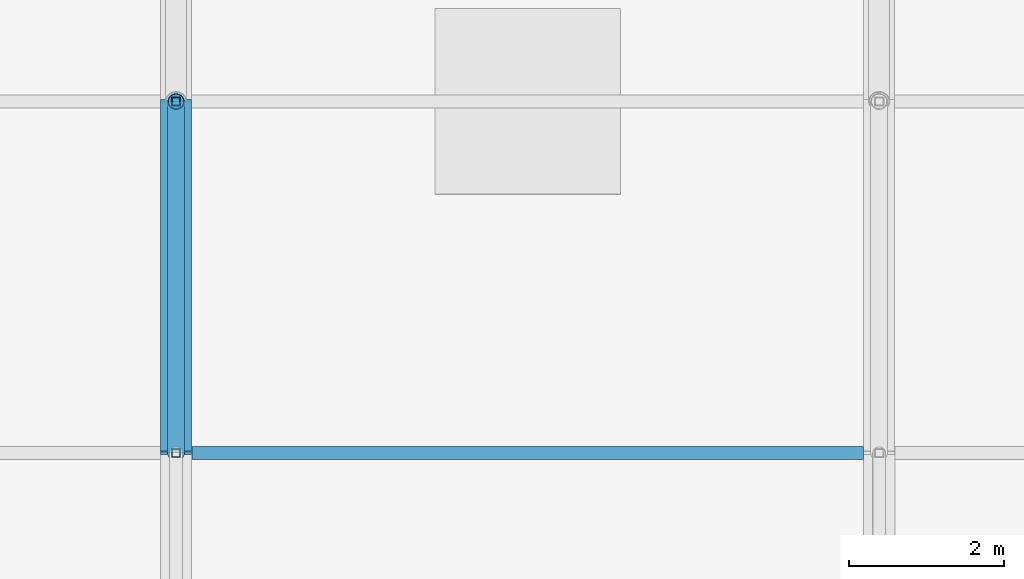
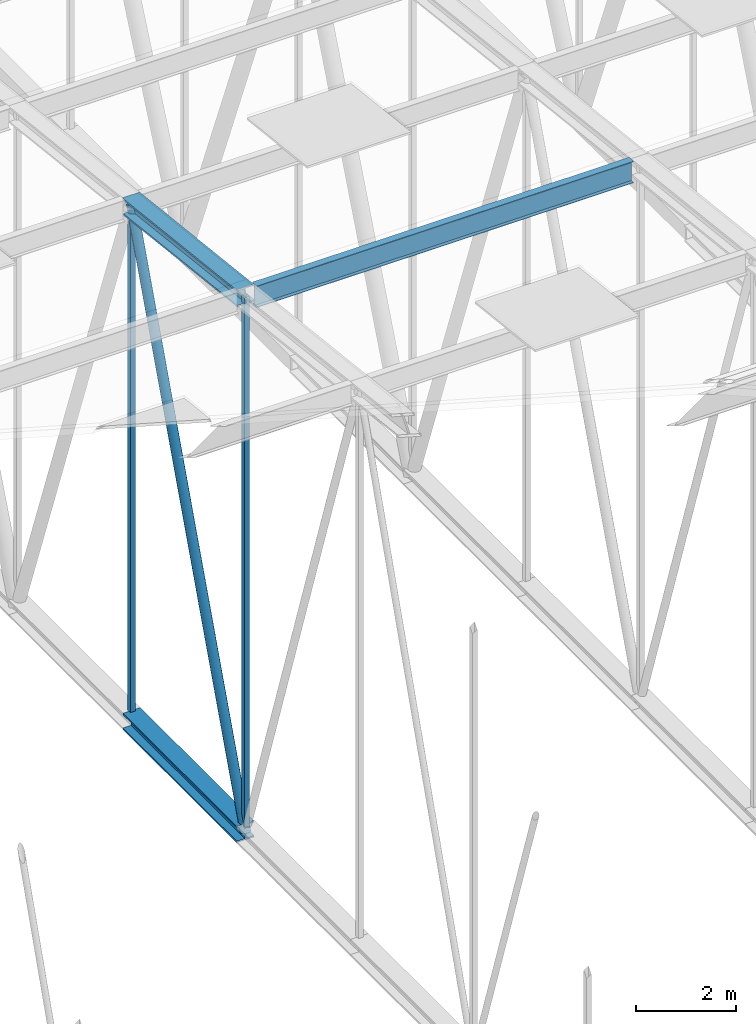
# One storey, part 256 of 500: 6 members.
"""IFC4 building model written with IfcOpenShell, lengths in metres."""

import ifcopenshell
import ifcopenshell.guid

model = None  # the IFC model being written
_history = None  # IfcOwnerHistory: only IFC2X3 demands one
_inside = {}  # id of a spatial element -> (the spatial element, [elements in it])
_under = {}  # id of a project, library or spatial element -> (it, [spatial elements below it])
_declared = {}  # id of a project -> (the project, [libraries it declares])
_typed = {}  # id of a type object -> (the type object, [elements of that type])
_made_of = {}  # id of a material, layer set ... -> (it, [elements and type objects made of it])


def new_model(schema):
    """Start an empty IFC model of exactly this schema.

    Asked for "IFC4X3", IfcOpenShell would pick the latest addendum, in which some entities
    have other attributes; the version numbers below select the first issue.
    IFC2X3 requires an IfcOwnerHistory on every rooted entity: one is made here for all.
    """
    global model, _history
    if schema == "IFC4X3":
        model = ifcopenshell.file(schema_version=(4, 3, 0, 0))
    else:
        model = ifcopenshell.file(schema=schema)
    _inside.clear()
    _under.clear()
    _declared.clear()
    _typed.clear()
    _made_of.clear()
    _history = None
    if model.schema == "IFC2X3":
        org = make("IfcOrganization", Name="unknown")
        user = make(
            "IfcPersonAndOrganization",
            ThePerson=make("IfcPerson", FamilyName="unknown"),
            TheOrganization=org,
        )
        app = make(
            "IfcApplication",
            ApplicationDeveloper=org,
            Version="unknown",
            ApplicationFullName="unknown",
            ApplicationIdentifier="unknown",
        )
        _history = make(
            "IfcOwnerHistory",
            OwningUser=user,
            OwningApplication=app,
            ChangeAction="ADDED",
            CreationDate=0,
        )
    return model


def make(cls, **values):
    """One entity of the class cls with the attributes given. An attribute that is None is left unset."""
    return model.create_entity(
        cls, **{name: value for name, value in values.items() if value is not None}
    )


def rooted(cls, **values):
    """An entity with a GlobalId (a new one), such as an element, a storey or a relation."""
    return make(cls, GlobalId=ifcopenshell.guid.new(), OwnerHistory=_history, **values)


def si_unit(unit_type, name, prefix=None):
    """IfcSIUnit, for example si_unit("LENGTHUNIT", "METRE", prefix="MILLI")."""
    return make("IfcSIUnit", UnitType=unit_type, Prefix=prefix, Name=name)


def assignment(units):
    """IfcUnitAssignment: the units of a project."""
    return None if units is None else make("IfcUnitAssignment", Units=units)


def point(xyz):
    """IfcCartesianPoint."""
    return None if xyz is None else make("IfcCartesianPoint", Coordinates=xyz)


def direction(xyz):
    """IfcDirection."""
    return None if xyz is None else make("IfcDirection", DirectionRatios=xyz)


def frame(location, z_axis=None, x_axis=None):
    """IfcAxis2Placement3D, a coordinate frame: its origin and axes. An axis left out is left unset."""
    return make(
        "IfcAxis2Placement3D",
        Location=point(location),
        Axis=direction(z_axis),
        RefDirection=direction(x_axis),
    )


def frame_2d(location, x_axis=None):
    """IfcAxis2Placement2D, a coordinate frame in the plane: its origin and x axis."""
    return make(
        "IfcAxis2Placement2D", Location=point(location), RefDirection=direction(x_axis)
    )


def origin():
    """The frame at (0, 0, 0) with its axes left unset."""
    return frame((0.0, 0.0, 0.0))


def origin_2d():
    """The frame at (0, 0) in the plane with its x axis left unset."""
    return frame_2d((0.0, 0.0))


def place(relative_to, where):
    """IfcLocalPlacement: puts the frame where relative to a parent placement (None: the world)."""
    return make(
        "IfcLocalPlacement", PlacementRelTo=relative_to, RelativePlacement=where
    )


def context(
    kind, dimensions, precision=None, world=None, true_north=None, identifier=None
):
    """IfcGeometricRepresentationContext, for example the 3D "Model" context."""
    return make(
        "IfcGeometricRepresentationContext",
        ContextIdentifier=identifier,
        ContextType=kind,
        CoordinateSpaceDimension=dimensions,
        Precision=precision,
        WorldCoordinateSystem=world,
        TrueNorth=true_north,
    )


def subcontext(parent, identifier, kind, view, scale=None):
    """IfcGeometricRepresentationSubContext, for example "Body" below "Model"."""
    return make(
        "IfcGeometricRepresentationSubContext",
        ContextIdentifier=identifier,
        ContextType=kind,
        ParentContext=parent,
        TargetScale=scale,
        TargetView=view,
    )


def project(units=None, contexts=None):
    """IfcProject with its units and contexts."""
    return rooted(
        "IfcProject",
        Name="project",
        RepresentationContexts=contexts,
        UnitsInContext=assignment(units),
    )


def spatial(cls, under=None, at=None, **own):
    """A site, building, storey or space (cls), placed at a placement, below another one or the project."""
    s = rooted(cls, ObjectPlacement=at, **own)
    if under is not None:
        _under.setdefault(under.id(), (under, []))[1].append(s)
    return s


def profile(cls, at=None, kind="AREA", **sizes):
    """A parametric profile (cls). Its sizes go by their IFC names, for example OverallWidth=200.0."""
    return make(cls, ProfileType=kind, Position=at, **sizes)


def hollow_rectangle(**sizes):
    """IfcRectangleHollowProfileDef."""
    return profile("IfcRectangleHollowProfileDef", **sizes)


def hollow_circle(**sizes):
    """IfcCircleHollowProfileDef."""
    return profile("IfcCircleHollowProfileDef", **sizes)


def i_section(**sizes):
    """IfcIShapeProfileDef."""
    return profile("IfcIShapeProfileDef", **sizes)


def extrude(swept, where, along, depth):
    """IfcExtrudedAreaSolid: the profile swept, set in the frame where, extruded along a direction by depth."""
    return make(
        "IfcExtrudedAreaSolid",
        SweptArea=swept,
        Position=where,
        ExtrudedDirection=direction(along),
        Depth=depth,
    )


def shape(context_of_items, identifier, shape_type, items):
    """IfcShapeRepresentation: the items that make up one representation, for example the "Body"."""
    return make(
        "IfcShapeRepresentation",
        ContextOfItems=context_of_items,
        RepresentationIdentifier=identifier,
        RepresentationType=shape_type,
        Items=items,
    )


def material(Name=None, Category=None):
    """IfcMaterial."""
    return make("IfcMaterial", Name=Name, Category=Category)


def material_profile(
    of_material, cross_section, Name=None, Category=None, Priority=None
):
    """IfcMaterialProfile: a cross section and its material."""
    return make(
        "IfcMaterialProfile",
        Name=Name,
        Material=of_material,
        Profile=cross_section,
        Priority=Priority,
        Category=Category,
    )


def profile_set(profiles, Name=None, composite=None):
    """IfcMaterialProfileSet."""
    return make(
        "IfcMaterialProfileSet",
        Name=Name,
        MaterialProfiles=profiles,
        CompositeProfile=composite,
    )


def made_of(thing, what):
    """Note that an element or type object is made of a material, layer set ...; save() writes the relation."""
    if what is not None:
        _made_of.setdefault(what.id(), (what, []))[1].append(thing)
    return thing


def type_object(cls, material=None, **own):
    """A type object (cls), such as IfcWallType, which elements share."""
    return made_of(rooted(cls, **own), material)


def element(
    cls,
    number,
    at=None,
    inside=None,
    cuts=None,
    type_object=None,
    material=None,
    context=None,
    identifier="Body",
    shape_type=None,
    held_by="IfcProductDefinitionShape",
    body=None,
    shapes=None,
    **own,
):
    """One element of the class cls, such as IfcWall. Its Tag is "e" and its number.

    at: its placement. inside: the storey or other place that contains it. cuts: it is an
    opening in that element (IfcRelVoidsElement). A single representation is given by context,
    identifier, shape_type and body (its items); several are given by shapes. held_by: the class
    of the entity that holds the representations. save() writes the other relations.
    """
    e = rooted(cls, Tag="e%d" % number, ObjectPlacement=at, **own)
    if body is not None:
        shapes = [shape(context, identifier, shape_type, body)]
    if shapes is not None:
        e.Representation = make(held_by, Representations=shapes)
    if inside is not None:
        _inside.setdefault(inside.id(), (inside, []))[1].append(e)
    if cuts is not None:
        rooted(
            "IfcRelVoidsElement", RelatingBuildingElement=cuts, RelatedOpeningElement=e
        )
    if type_object is not None:
        _typed.setdefault(type_object.id(), (type_object, []))[1].append(e)
    return made_of(e, material)


def aggregate(whole, parts):
    """IfcRelAggregates: a whole, such as a stair, and the parts it consists of."""
    return rooted("IfcRelAggregates", RelatingObject=whole, RelatedObjects=parts)


def save(model, path):
    """Write the relations noted so far, then the file.

    IfcRelAggregates (storeys below a building ...), IfcRelContainedInSpatialStructure (elements
    in a storey), IfcRelDefinesByType, IfcRelAssociatesMaterial and IfcRelDeclares: one each for
    every whole, place, type object, material and project.
    """
    for whole, parts in _under.values():
        aggregate(whole, parts)
    for where, things in _inside.values():
        rooted(
            "IfcRelContainedInSpatialStructure",
            RelatedElements=things,
            RelatingStructure=where,
        )
    for kind, things in _typed.values():
        rooted("IfcRelDefinesByType", RelatedObjects=things, RelatingType=kind)
    for what, things in _made_of.values():
        rooted("IfcRelAssociatesMaterial", RelatedObjects=things, RelatingMaterial=what)
    for by, libraries in _declared.values():
        rooted("IfcRelDeclares", RelatingContext=by, RelatedDefinitions=libraries)
    model.write(path)


model = new_model("IFC4")

# Units and contexts
model_context = context("Model", 3, precision=1e-05, world=origin(), true_north=direction((0.0, 1.0)))
body_context = subcontext(model_context, "Body", "Model", "MODEL_VIEW")
ifc_project = project(units=[si_unit("LENGTHUNIT", "METRE"), si_unit("AREAUNIT", "SQUARE_METRE"), si_unit("VOLUMEUNIT", "CUBIC_METRE"), si_unit("PLANEANGLEUNIT", "RADIAN"), si_unit("MASSUNIT", "GRAM", prefix="KILO")], contexts=[model_context])

# Site, building, storey
site_placement = place(None, origin())
site = spatial("IfcSite", under=ifc_project, at=site_placement, CompositionType="ELEMENT")
building_placement = place(site_placement, origin())
building = spatial("IfcBuilding", under=site, at=building_placement, Name="Shirokan Park Arena", CompositionType="ELEMENT")
storey_placement = place(building_placement, frame((0.0, 0.0, 29.1201171875)))
storey = spatial("IfcBuildingStorey", under=building, at=storey_placement, Name="L06", CompositionType="ELEMENT", Elevation=29.1201171875)

# Members
ifc_material_1 = material(Name="Steel ASTM A992", Category="steel")
ifc_material_profile_1 = material_profile(ifc_material_1, i_section(OverallWidth=0.40087890625, OverallDepth=0.39892578125, WebThickness=0.02490234375, FlangeThickness=0.03955078125, at=origin_2d()), Name="W360X314")
ifc_profile_set_1 = profile_set([ifc_material_profile_1], Name="Steel ASTM A992")
member_type_1 = type_object("IfcMemberType", Name="Bottom chord W360X314", PredefinedType="CHORD", material=ifc_profile_set_1)
member_1_placement = place(storey_placement, frame((63.699951171875, 63.699951171875, 4.677001953125), z_axis=(0.0, 1.0, 0.0), x_axis=(-1.0, 0.0, 0.0)))
element("IfcMember", 1, at=member_1_placement, inside=storey, type_object=member_type_1, Name="Truss T08 bottom chord 17", PredefinedType="CHORD", context=body_context, shape_type="SweptSolid", body=[
    extrude(i_section(OverallWidth=0.40087890625, OverallDepth=0.39892578125, WebThickness=0.02490234375, FlangeThickness=0.03955078125, at=origin_2d()), origin(), (0.0, 0.0, 1.0), 4.550048828125),
])
ifc_material_profile_2 = material_profile(ifc_material_1, i_section(OverallWidth=0.166015625, OverallDepth=0.528076171875, WebThickness=0.009765625, FlangeThickness=0.013671875, at=origin_2d()), Name="W530X74")
ifc_profile_set_2 = profile_set([ifc_material_profile_2], Name="Steel ASTM A992")
member_type_2 = type_object("IfcMemberType", Name="Purlin W530X74", PredefinedType="PURLIN", material=ifc_profile_set_2)
member_2_placement = place(storey_placement, frame((63.903076171875, 63.699951171875, 17.685791015625), z_axis=(1.0, 0.0, 0.0), x_axis=(0.0, 1.0, 0.0)))
element("IfcMember", 2, at=member_2_placement, inside=storey, type_object=member_type_2, Name="Purlin 17 bay 8", PredefinedType="PURLIN", context=body_context, shape_type="SweptSolid", body=[
    extrude(i_section(OverallWidth=0.166015625, OverallDepth=0.528076171875, WebThickness=0.009765625, FlangeThickness=0.013671875, at=origin_2d()), origin(), (0.0, 0.0, 1.0), 8.69384765625),
])
ifc_material_profile_3 = material_profile(ifc_material_1, i_section(OverallWidth=0.40087890625, OverallDepth=0.39892578125, WebThickness=0.02490234375, FlangeThickness=0.03955078125, at=origin_2d()), Name="W360X314")
ifc_profile_set_3 = profile_set([ifc_material_profile_3], Name="Steel ASTM A992")
member_type_3 = type_object("IfcMemberType", Name="Top chord W360X314", PredefinedType="CHORD", material=ifc_profile_set_3)
member_3_placement = place(storey_placement, frame((63.699951171875, 63.699951171875, 17.741455078125), z_axis=(0.0, 0.993532328996, -0.113549598152), x_axis=(-1.0, 0.0, 0.0)))
element("IfcMember", 3, at=member_3_placement, inside=storey, type_object=member_type_3, Name="Truss T08 top chord 17", PredefinedType="CHORD", context=body_context, shape_type="SweptSolid", body=[
    extrude(i_section(OverallWidth=0.40087890625, OverallDepth=0.39892578125, WebThickness=0.02490234375, FlangeThickness=0.03955078125, at=origin_2d()), origin(), (0.0, 0.0, 1.0), 4.57958984375),
])
ifc_material_2 = material(Name="Steel ASTM A500 Grade C", Category="steel")
ifc_material_profile_4 = material_profile(ifc_material_2, hollow_circle(Radius=0.109619140625, WallThickness=0.009521484375, at=origin_2d()), Name="HSS219.1X9.5")
ifc_profile_set_4 = profile_set([ifc_material_profile_4], Name="Steel ASTM A500 Grade C")
member_type_4 = type_object("IfcMemberType", Name="Truss diagonal HSS219.1X9.5", PredefinedType="BRACE", material=ifc_profile_set_4)
member_4_placement = place(storey_placement, frame((63.699951171875, 63.699951171875, 4.677001953125), z_axis=(0.0, 0.340977600467, 0.94007142068), x_axis=(-1.0, 0.0, 0.0)))
element("IfcMember", 4, at=member_4_placement, inside=storey, type_object=member_type_4, Name="Truss T08 diagonal 17", PredefinedType="BRACE", context=body_context, shape_type="SweptSolid", body=[
    extrude(hollow_circle(Radius=0.109619140625, WallThickness=0.009521484375, at=origin_2d()), origin(), (0.0, 0.0, 1.0), 13.34423828125),
])
ifc_material_profile_5 = material_profile(ifc_material_2, hollow_rectangle(XDim=0.114013671875, YDim=0.114013671875, WallThickness=0.00634765625, at=origin_2d()), Name="HSS114.3X114.3X6.4")
ifc_profile_set_5 = profile_set([ifc_material_profile_5], Name="Steel ASTM A500 Grade C")
member_type_5 = type_object("IfcMemberType", Name="Truss post HSS114.3X114.3X6.4", PredefinedType="POST", material=ifc_profile_set_5)
member_5_placement = place(storey_placement, frame((63.699951171875, 63.699951171875, 4.677001953125), z_axis=(0.0, 0.0, 1.0), x_axis=(1.0, 0.0, 0.0)))
element("IfcMember", 5, at=member_5_placement, inside=storey, type_object=member_type_5, Name="Truss T08 post 17", PredefinedType="POST", context=body_context, shape_type="SweptSolid", body=[
    extrude(hollow_rectangle(XDim=0.114013671875, YDim=0.114013671875, WallThickness=0.00634765625, at=origin_2d()), origin(), (0.0, 0.0, 1.0), 13.064453125),
])
member_6_placement = place(storey_placement, frame((63.699951171875, 68.25, 4.677001953125), z_axis=(0.0, 0.0, 1.0), x_axis=(1.0, 0.0, 0.0)))
element("IfcMember", 6, at=member_6_placement, inside=storey, type_object=member_type_5, Name="Truss T08 post 18", PredefinedType="POST", context=body_context, shape_type="SweptSolid", body=[
    extrude(hollow_rectangle(XDim=0.114013671875, YDim=0.114013671875, WallThickness=0.00634765625, at=origin_2d()), origin(), (0.0, 0.0, 1.0), 12.54443359375),
])

save(model, "model.ifc")
